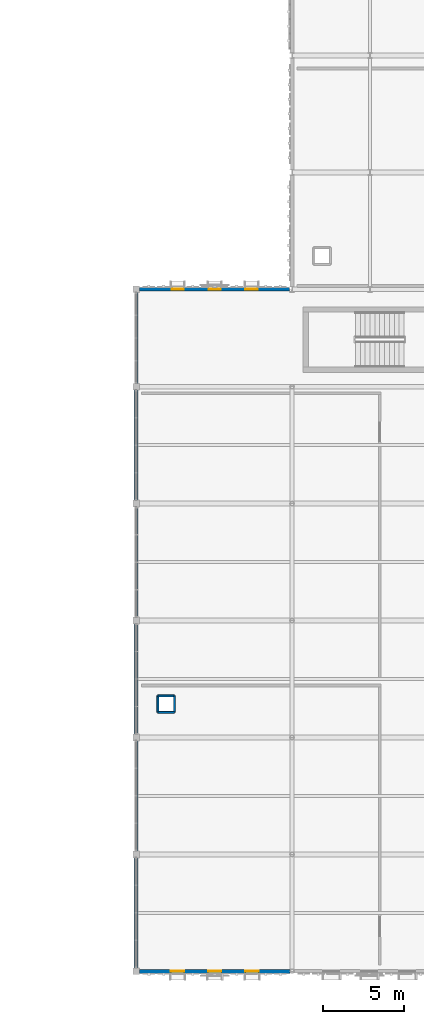
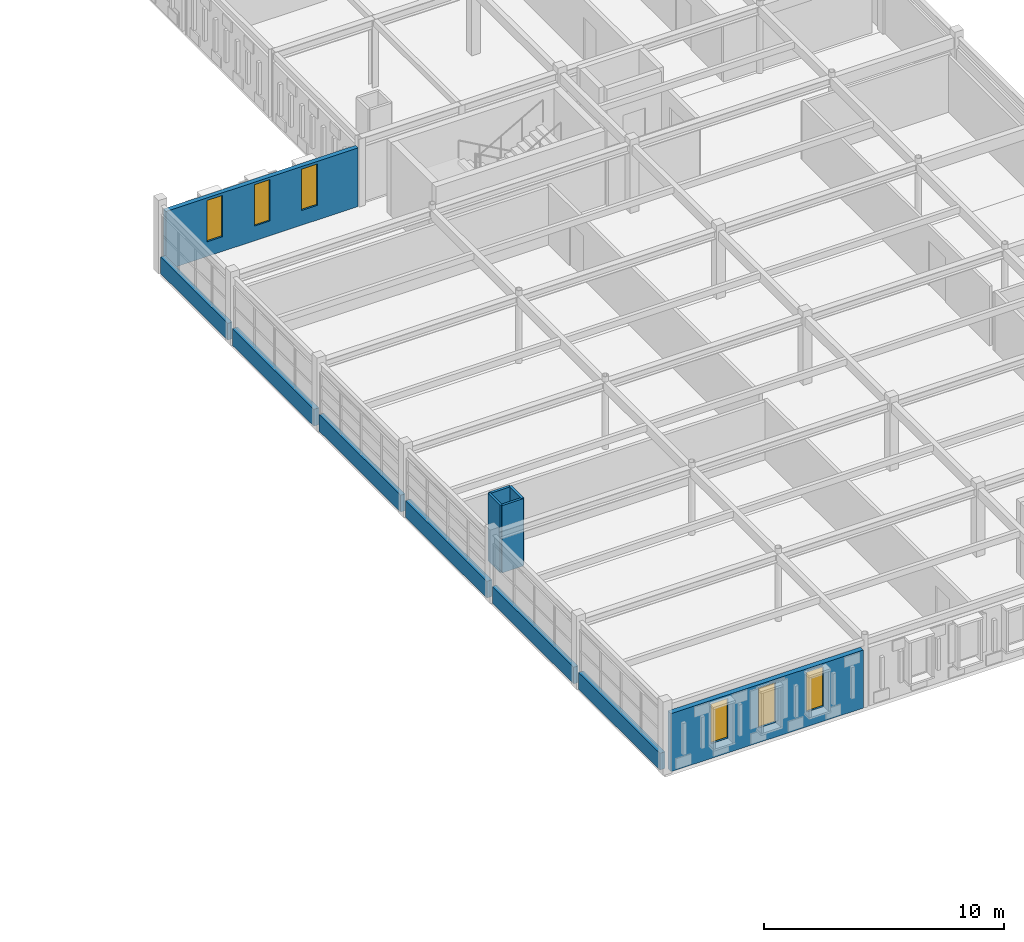
# One storey, part 26 of 46: 12 walls, 6 windows, 6 openings.
"""IFC4 building model written with IfcOpenShell, lengths in metres."""

import ifcopenshell
import ifcopenshell.guid

model = None  # the IFC model being written
_history = None  # IfcOwnerHistory: only IFC2X3 demands one
_inside = {}  # id of a spatial element -> (the spatial element, [elements in it])
_under = {}  # id of a project, library or spatial element -> (it, [spatial elements below it])
_declared = {}  # id of a project -> (the project, [libraries it declares])
_typed = {}  # id of a type object -> (the type object, [elements of that type])
_made_of = {}  # id of a material, layer set ... -> (it, [elements and type objects made of it])


def new_model(schema):
    """Start an empty IFC model of exactly this schema.

    Asked for "IFC4X3", IfcOpenShell would pick the latest addendum, in which some entities
    have other attributes; the version numbers below select the first issue.
    IFC2X3 requires an IfcOwnerHistory on every rooted entity: one is made here for all.
    """
    global model, _history
    if schema == "IFC4X3":
        model = ifcopenshell.file(schema_version=(4, 3, 0, 0))
    else:
        model = ifcopenshell.file(schema=schema)
    _inside.clear()
    _under.clear()
    _declared.clear()
    _typed.clear()
    _made_of.clear()
    _history = None
    if model.schema == "IFC2X3":
        org = make("IfcOrganization", Name="unknown")
        user = make(
            "IfcPersonAndOrganization",
            ThePerson=make("IfcPerson", FamilyName="unknown"),
            TheOrganization=org,
        )
        app = make(
            "IfcApplication",
            ApplicationDeveloper=org,
            Version="unknown",
            ApplicationFullName="unknown",
            ApplicationIdentifier="unknown",
        )
        _history = make(
            "IfcOwnerHistory",
            OwningUser=user,
            OwningApplication=app,
            ChangeAction="ADDED",
            CreationDate=0,
        )
    return model


def make(cls, **values):
    """One entity of the class cls with the attributes given. An attribute that is None is left unset."""
    return model.create_entity(
        cls, **{name: value for name, value in values.items() if value is not None}
    )


def rooted(cls, **values):
    """An entity with a GlobalId (a new one), such as an element, a storey or a relation."""
    return make(cls, GlobalId=ifcopenshell.guid.new(), OwnerHistory=_history, **values)


def si_unit(unit_type, name, prefix=None):
    """IfcSIUnit, for example si_unit("LENGTHUNIT", "METRE", prefix="MILLI")."""
    return make("IfcSIUnit", UnitType=unit_type, Prefix=prefix, Name=name)


def assignment(units):
    """IfcUnitAssignment: the units of a project."""
    return None if units is None else make("IfcUnitAssignment", Units=units)


def point(xyz):
    """IfcCartesianPoint."""
    return None if xyz is None else make("IfcCartesianPoint", Coordinates=xyz)


def direction(xyz):
    """IfcDirection."""
    return None if xyz is None else make("IfcDirection", DirectionRatios=xyz)


def frame(location, z_axis=None, x_axis=None):
    """IfcAxis2Placement3D, a coordinate frame: its origin and axes. An axis left out is left unset."""
    return make(
        "IfcAxis2Placement3D",
        Location=point(location),
        Axis=direction(z_axis),
        RefDirection=direction(x_axis),
    )


def frame_2d(location, x_axis=None):
    """IfcAxis2Placement2D, a coordinate frame in the plane: its origin and x axis."""
    return make(
        "IfcAxis2Placement2D", Location=point(location), RefDirection=direction(x_axis)
    )


def origin():
    """The frame at (0, 0, 0) with its axes left unset."""
    return frame((0.0, 0.0, 0.0))


def place(relative_to, where):
    """IfcLocalPlacement: puts the frame where relative to a parent placement (None: the world)."""
    return make(
        "IfcLocalPlacement", PlacementRelTo=relative_to, RelativePlacement=where
    )


def context(
    kind, dimensions, precision=None, world=None, true_north=None, identifier=None
):
    """IfcGeometricRepresentationContext, for example the 3D "Model" context."""
    return make(
        "IfcGeometricRepresentationContext",
        ContextIdentifier=identifier,
        ContextType=kind,
        CoordinateSpaceDimension=dimensions,
        Precision=precision,
        WorldCoordinateSystem=world,
        TrueNorth=true_north,
    )


def subcontext(parent, identifier, kind, view, scale=None):
    """IfcGeometricRepresentationSubContext, for example "Body" below "Model"."""
    return make(
        "IfcGeometricRepresentationSubContext",
        ContextIdentifier=identifier,
        ContextType=kind,
        ParentContext=parent,
        TargetScale=scale,
        TargetView=view,
    )


def project(units=None, contexts=None):
    """IfcProject with its units and contexts."""
    return rooted(
        "IfcProject",
        Name="project",
        RepresentationContexts=contexts,
        UnitsInContext=assignment(units),
    )


def spatial(cls, under=None, at=None, **own):
    """A site, building, storey or space (cls), placed at a placement, below another one or the project."""
    s = rooted(cls, ObjectPlacement=at, **own)
    if under is not None:
        _under.setdefault(under.id(), (under, []))[1].append(s)
    return s


def profile(cls, at=None, kind="AREA", **sizes):
    """A parametric profile (cls). Its sizes go by their IFC names, for example OverallWidth=200.0."""
    return make(cls, ProfileType=kind, Position=at, **sizes)


def rectangle(**sizes):
    """IfcRectangleProfileDef."""
    return profile("IfcRectangleProfileDef", **sizes)


def extrude(swept, where, along, depth):
    """IfcExtrudedAreaSolid: the profile swept, set in the frame where, extruded along a direction by depth."""
    return make(
        "IfcExtrudedAreaSolid",
        SweptArea=swept,
        Position=where,
        ExtrudedDirection=direction(along),
        Depth=depth,
    )


def shape(context_of_items, identifier, shape_type, items):
    """IfcShapeRepresentation: the items that make up one representation, for example the "Body"."""
    return make(
        "IfcShapeRepresentation",
        ContextOfItems=context_of_items,
        RepresentationIdentifier=identifier,
        RepresentationType=shape_type,
        Items=items,
    )


def material(Name=None, Category=None):
    """IfcMaterial."""
    return make("IfcMaterial", Name=Name, Category=Category)


def layer(
    of_material, thickness, ventilated=None, Name=None, Category=None, Priority=None
):
    """IfcMaterialLayer: one layer of a wall or slab, of a material (None: an air gap)."""
    return make(
        "IfcMaterialLayer",
        Material=of_material,
        LayerThickness=thickness,
        IsVentilated=ventilated,
        Name=Name,
        Category=Category,
        Priority=Priority,
    )


def layer_set(layers, Name=None):
    """IfcMaterialLayerSet."""
    return make("IfcMaterialLayerSet", MaterialLayers=layers, LayerSetName=Name)


def made_of(thing, what):
    """Note that an element or type object is made of a material, layer set ...; save() writes the relation."""
    if what is not None:
        _made_of.setdefault(what.id(), (what, []))[1].append(thing)
    return thing


def type_object(cls, material=None, **own):
    """A type object (cls), such as IfcWallType, which elements share."""
    return made_of(rooted(cls, **own), material)


def element(
    cls,
    number,
    at=None,
    inside=None,
    cuts=None,
    type_object=None,
    material=None,
    context=None,
    identifier="Body",
    shape_type=None,
    held_by="IfcProductDefinitionShape",
    body=None,
    shapes=None,
    **own,
):
    """One element of the class cls, such as IfcWall. Its Tag is "e" and its number.

    at: its placement. inside: the storey or other place that contains it. cuts: it is an
    opening in that element (IfcRelVoidsElement). A single representation is given by context,
    identifier, shape_type and body (its items); several are given by shapes. held_by: the class
    of the entity that holds the representations. save() writes the other relations.
    """
    e = rooted(cls, Tag="e%d" % number, ObjectPlacement=at, **own)
    if body is not None:
        shapes = [shape(context, identifier, shape_type, body)]
    if shapes is not None:
        e.Representation = make(held_by, Representations=shapes)
    if inside is not None:
        _inside.setdefault(inside.id(), (inside, []))[1].append(e)
    if cuts is not None:
        rooted(
            "IfcRelVoidsElement", RelatingBuildingElement=cuts, RelatedOpeningElement=e
        )
    if type_object is not None:
        _typed.setdefault(type_object.id(), (type_object, []))[1].append(e)
    return made_of(e, material)


def fill(opening, filler):
    """IfcRelFillsElement: the door or window that sits in an opening."""
    return rooted(
        "IfcRelFillsElement",
        RelatingOpeningElement=opening,
        RelatedBuildingElement=filler,
    )


def aggregate(whole, parts):
    """IfcRelAggregates: a whole, such as a stair, and the parts it consists of."""
    return rooted("IfcRelAggregates", RelatingObject=whole, RelatedObjects=parts)


def save(model, path):
    """Write the relations noted so far, then the file.

    IfcRelAggregates (storeys below a building ...), IfcRelContainedInSpatialStructure (elements
    in a storey), IfcRelDefinesByType, IfcRelAssociatesMaterial and IfcRelDeclares: one each for
    every whole, place, type object, material and project.
    """
    for whole, parts in _under.values():
        aggregate(whole, parts)
    for where, things in _inside.values():
        rooted(
            "IfcRelContainedInSpatialStructure",
            RelatedElements=things,
            RelatingStructure=where,
        )
    for kind, things in _typed.values():
        rooted("IfcRelDefinesByType", RelatedObjects=things, RelatingType=kind)
    for what, things in _made_of.values():
        rooted("IfcRelAssociatesMaterial", RelatedObjects=things, RelatingMaterial=what)
    for by, libraries in _declared.values():
        rooted("IfcRelDeclares", RelatingContext=by, RelatedDefinitions=libraries)
    model.write(path)


model = new_model("IFC4")

# Units and contexts
model_context = context("Model", 3, precision=1e-05, world=origin(), true_north=direction((0.0, 1.0)))
body_context = subcontext(model_context, "Body", "Model", "MODEL_VIEW")
ifc_project = project(units=[si_unit("LENGTHUNIT", "METRE"), si_unit("AREAUNIT", "SQUARE_METRE"), si_unit("VOLUMEUNIT", "CUBIC_METRE"), si_unit("PLANEANGLEUNIT", "RADIAN"), si_unit("MASSUNIT", "GRAM", prefix="KILO")], contexts=[model_context])

# Site, building, storey
site_placement = place(None, origin())
site = spatial("IfcSite", under=ifc_project, at=site_placement, CompositionType="ELEMENT")
building_placement = place(site_placement, origin())
building = spatial("IfcBuilding", under=site, at=building_placement, Name="Nzembalo Square Collegiate School", CompositionType="ELEMENT")
storey_placement = place(building_placement, frame((0.0, 0.0, 17.340087890625)))
storey = spatial("IfcBuildingStorey", under=building, at=storey_placement, Name="L04", CompositionType="ELEMENT", Elevation=17.340087890625)

# Wall, openings, windows
ifc_material_1 = material(Name="CLT CL24", Category="wood")
ifc_layer_1 = layer(ifc_material_1, 0.2451171875, Name="CLT CL24")
ifc_layer_set_1 = layer_set([ifc_layer_1], Name="CLT CL24")
wall_type_1 = type_object("IfcWallType", Name="W07", PredefinedType="SOLIDWALL", material=ifc_layer_set_1)
wall_1_placement = place(storey_placement, frame((131.011962890625, 8.39990234375, 0.0), z_axis=(0.0, 0.0, 1.0), x_axis=(1.0, 0.0, 0.0)))
wall_1 = element("IfcWall", 1, at=wall_1_placement, inside=storey, type_object=wall_type_1, Name="Exterior wall W07 L04", PredefinedType="SOLIDWALL", context=body_context, shape_type="SweptSolid", body=[
    extrude(rectangle(XDim=9.24951171875, YDim=0.2451171875, at=frame_2d((4.624755859375, 0.0))), origin(), (0.0, 0.0, 1.0), 2.948974609375),
])
opening_1_placement = place(wall_1_placement, frame((1.91748046875, 0.0, 0.75)))
opening_1 = element("IfcOpeningElement", 2, at=opening_1_placement, cuts=wall_1, Name="Opening WN-L04-925", PredefinedType="OPENING", context=body_context, shape_type="SweptSolid", body=[
    extrude(rectangle(XDim=0.820068359375, YDim=2.02001953125, at=frame_2d((0.41015625, 1.010009765625))), frame((0.0, 0.132568359375, 0.0), z_axis=(0.0, -1.0, 0.0), x_axis=(1.0, 0.0, 0.0)), (0.0, 0.0, 1.0), 0.26513671875),
])
opening_2_placement = place(wall_1_placement, frame((4.214599609375, 0.0, 0.75)))
opening_2 = element("IfcOpeningElement", 3, at=opening_2_placement, cuts=wall_1, Name="Opening WN-L04-926", PredefinedType="OPENING", context=body_context, shape_type="SweptSolid", body=[
    extrude(rectangle(XDim=0.820068359375, YDim=2.02001953125, at=frame_2d((0.41015625, 1.010009765625))), frame((0.0, 0.132568359375, 0.0), z_axis=(0.0, -1.0, 0.0), x_axis=(1.0, 0.0, 0.0)), (0.0, 0.0, 1.0), 0.26513671875),
])
opening_3_placement = place(wall_1_placement, frame((6.51220703125, 0.0, 0.75)))
opening_3 = element("IfcOpeningElement", 4, at=opening_3_placement, cuts=wall_1, Name="Opening WN-L04-927", PredefinedType="OPENING", context=body_context, shape_type="SweptSolid", body=[
    extrude(rectangle(XDim=0.820068359375, YDim=2.02001953125, at=frame_2d((0.41015625, 1.010009765625))), frame((0.0, 0.132568359375, 0.0), z_axis=(0.0, -1.0, 0.0), x_axis=(1.0, 0.0, 0.0)), (0.0, 0.0, 1.0), 0.26513671875),
])
ifc_material_2 = material(Name="Powder-coated aluminium and low-E double glazing", Category="aluminium")
window_type_1 = type_object("IfcWindowType", Name="WN38", PartitioningType="SINGLE_PANEL", PredefinedType="WINDOW", material=ifc_material_2)
window_1_placement = place(opening_1_placement, origin())
window_1 = element("IfcWindow", 5, at=window_1_placement, inside=storey, type_object=window_type_1, Name="Lancet window WN-L04-925", OverallHeight=2.02001953125, OverallWidth=0.820068359375, PartitioningType="SINGLE_PANEL", PredefinedType="WINDOW", context=body_context, shape_type="SweptSolid", body=[
    extrude(rectangle(XDim=0.820068359375, YDim=2.02001953125, at=frame_2d((0.41015625, 1.010009765625))), frame((0.0, 0.030029296875, 0.0), z_axis=(0.0, -1.0, 0.0), x_axis=(1.0, 0.0, 0.0)), (0.0, 0.0, 1.0), 0.06005859375),
])
fill(opening_1, window_1)
window_2_placement = place(opening_2_placement, origin())
window_2 = element("IfcWindow", 6, at=window_2_placement, inside=storey, type_object=window_type_1, Name="Lancet window WN-L04-926", OverallHeight=2.02001953125, OverallWidth=0.820068359375, PartitioningType="SINGLE_PANEL", PredefinedType="WINDOW", context=body_context, shape_type="SweptSolid", body=[
    extrude(rectangle(XDim=0.820068359375, YDim=2.02001953125, at=frame_2d((0.41015625, 1.010009765625))), frame((0.0, 0.030029296875, 0.0), z_axis=(0.0, -1.0, 0.0), x_axis=(1.0, 0.0, 0.0)), (0.0, 0.0, 1.0), 0.06005859375),
])
fill(opening_2, window_2)
window_3_placement = place(opening_3_placement, origin())
window_3 = element("IfcWindow", 7, at=window_3_placement, inside=storey, type_object=window_type_1, Name="Lancet window WN-L04-927", OverallHeight=2.02001953125, OverallWidth=0.820068359375, PartitioningType="SINGLE_PANEL", PredefinedType="WINDOW", context=body_context, shape_type="SweptSolid", body=[
    extrude(rectangle(XDim=0.820068359375, YDim=2.02001953125, at=frame_2d((0.41015625, 1.010009765625))), frame((0.0, 0.030029296875, 0.0), z_axis=(0.0, -1.0, 0.0), x_axis=(1.0, 0.0, 0.0)), (0.0, 0.0, 1.0), 0.06005859375),
])
fill(opening_3, window_3)

# Walls
wall_2_placement = place(storey_placement, frame((130.800048828125, 8.612060546875, 0.0), z_axis=(0.0, 0.0, 1.0), x_axis=(0.0, 1.0, 0.0)))
element("IfcWall", 8, at=wall_2_placement, inside=storey, type_object=wall_type_1, Name="Spandrel wall W07 L04", PredefinedType="SOLIDWALL", context=body_context, shape_type="SweptSolid", body=[
    extrude(rectangle(XDim=6.77587890625, YDim=0.2451171875, at=frame_2d((3.387939453125, 0.0))), origin(), (0.0, 0.0, 1.0), 0.849853515625),
])
wall_3_placement = place(storey_placement, frame((130.800048828125, 23.011962890625, 0.0), z_axis=(0.0, 0.0, 1.0), x_axis=(0.0, 1.0, 0.0)))
element("IfcWall", 9, at=wall_3_placement, inside=storey, type_object=wall_type_1, Name="Spandrel wall W07 L04", PredefinedType="SOLIDWALL", context=body_context, shape_type="SweptSolid", body=[
    extrude(rectangle(XDim=6.776123046875, YDim=0.2451171875, at=frame_2d((3.38818359375, 0.0))), origin(), (0.0, 0.0, 1.0), 0.849853515625),
])
wall_4_placement = place(storey_placement, frame((130.800048828125, 37.412109375, 0.0), z_axis=(0.0, 0.0, 1.0), x_axis=(0.0, 1.0, 0.0)))
element("IfcWall", 10, at=wall_4_placement, inside=storey, type_object=wall_type_1, Name="Spandrel wall W07 L04", PredefinedType="SOLIDWALL", context=body_context, shape_type="SweptSolid", body=[
    extrude(rectangle(XDim=6.77587890625, YDim=0.2451171875, at=frame_2d((3.387939453125, 0.0))), origin(), (0.0, 0.0, 1.0), 0.849853515625),
])

# Wall, openings, windows
ifc_material_3 = material(Name="CLT CL24", Category="wood")
ifc_layer_2 = layer(ifc_material_3, 0.215087890625, Name="CLT CL24")
ifc_layer_set_2 = layer_set([ifc_layer_2], Name="CLT CL24")
wall_type_2 = type_object("IfcWallType", Name="W08", PredefinedType="SOLIDWALL", material=ifc_layer_set_2)
wall_5_placement = place(storey_placement, frame((131.011962890625, 50.39990234375, 0.0), z_axis=(0.0, 0.0, 1.0), x_axis=(1.0, 0.0, 0.0)))
wall_5 = element("IfcWall", 11, at=wall_5_placement, inside=storey, type_object=wall_type_2, Name="Exterior wall W08 L04", PredefinedType="SOLIDWALL", context=body_context, shape_type="SweptSolid", body=[
    extrude(rectangle(XDim=9.236083984375, YDim=0.215087890625, at=frame_2d((4.6181640625, 0.0))), origin(), (0.0, 0.0, 1.0), 2.97900390625),
])
opening_4_placement = place(wall_5_placement, frame((1.966552734375, 0.0, 0.75)))
opening_4 = element("IfcOpeningElement", 12, at=opening_4_placement, cuts=wall_5, Name="Opening WN-L04-815", PredefinedType="OPENING", context=body_context, shape_type="SweptSolid", body=[
    extrude(rectangle(XDim=0.75, YDim=2.10009765625, at=frame_2d((0.375, 1.050048828125))), frame((0.0, 0.11767578125, 0.0), z_axis=(0.0, -1.0, 0.0), x_axis=(1.0, 0.0, 0.0)), (0.0, 0.0, 1.0), 0.235107421875),
])
opening_5_placement = place(wall_5_placement, frame((4.242919921875, 0.0, 0.75)))
opening_5 = element("IfcOpeningElement", 13, at=opening_5_placement, cuts=wall_5, Name="Opening WN-L04-816", PredefinedType="OPENING", context=body_context, shape_type="SweptSolid", body=[
    extrude(rectangle(XDim=0.75, YDim=2.10009765625, at=frame_2d((0.375, 1.050048828125))), frame((0.0, 0.11767578125, 0.0), z_axis=(0.0, -1.0, 0.0), x_axis=(1.0, 0.0, 0.0)), (0.0, 0.0, 1.0), 0.235107421875),
])
opening_6_placement = place(wall_5_placement, frame((6.51953125, 0.0, 0.75)))
opening_6 = element("IfcOpeningElement", 14, at=opening_6_placement, cuts=wall_5, Name="Opening WN-L04-817", PredefinedType="OPENING", context=body_context, shape_type="SweptSolid", body=[
    extrude(rectangle(XDim=0.75, YDim=2.10009765625, at=frame_2d((0.375, 1.050048828125))), frame((0.0, 0.11767578125, 0.0), z_axis=(0.0, -1.0, 0.0), x_axis=(1.0, 0.0, 0.0)), (0.0, 0.0, 1.0), 0.235107421875),
])
ifc_material_4 = material(Name="Powder-coated aluminium and low-E double glazing", Category="aluminium")
window_type_2 = type_object("IfcWindowType", Name="WN02", PartitioningType="SINGLE_PANEL", PredefinedType="WINDOW", material=ifc_material_4)
window_4_placement = place(opening_4_placement, origin())
window_4 = element("IfcWindow", 15, at=window_4_placement, inside=storey, type_object=window_type_2, Name="Lancet window WN-L04-815", OverallHeight=2.10009765625, OverallWidth=0.75, PartitioningType="SINGLE_PANEL", PredefinedType="WINDOW", context=body_context, shape_type="SweptSolid", body=[
    extrude(rectangle(XDim=0.75, YDim=2.10009765625, at=frame_2d((0.375, 1.050048828125))), frame((0.0, 0.030029296875, 0.0), z_axis=(0.0, -1.0, 0.0), x_axis=(1.0, 0.0, 0.0)), (0.0, 0.0, 1.0), 0.06005859375),
])
fill(opening_4, window_4)
window_5_placement = place(opening_5_placement, origin())
window_5 = element("IfcWindow", 16, at=window_5_placement, inside=storey, type_object=window_type_2, Name="Lancet window WN-L04-816", OverallHeight=2.10009765625, OverallWidth=0.75, PartitioningType="SINGLE_PANEL", PredefinedType="WINDOW", context=body_context, shape_type="SweptSolid", body=[
    extrude(rectangle(XDim=0.75, YDim=2.10009765625, at=frame_2d((0.375, 1.050048828125))), frame((0.0, 0.030029296875, 0.0), z_axis=(0.0, -1.0, 0.0), x_axis=(1.0, 0.0, 0.0)), (0.0, 0.0, 1.0), 0.06005859375),
])
fill(opening_5, window_5)
window_6_placement = place(opening_6_placement, origin())
window_6 = element("IfcWindow", 17, at=window_6_placement, inside=storey, type_object=window_type_2, Name="Lancet window WN-L04-817", OverallHeight=2.10009765625, OverallWidth=0.75, PartitioningType="SINGLE_PANEL", PredefinedType="WINDOW", context=body_context, shape_type="SweptSolid", body=[
    extrude(rectangle(XDim=0.75, YDim=2.10009765625, at=frame_2d((0.375, 1.050048828125))), frame((0.0, 0.030029296875, 0.0), z_axis=(0.0, -1.0, 0.0), x_axis=(1.0, 0.0, 0.0)), (0.0, 0.0, 1.0), 0.06005859375),
])
fill(opening_6, window_6)

# Walls
wall_6_placement = place(storey_placement, frame((130.800048828125, 15.81201171875, 0.0), z_axis=(0.0, 0.0, 1.0), x_axis=(0.0, 1.0, 0.0)))
element("IfcWall", 18, at=wall_6_placement, inside=storey, type_object=wall_type_2, Name="Spandrel wall W08 L04", PredefinedType="SOLIDWALL", context=body_context, shape_type="SweptSolid", body=[
    extrude(rectangle(XDim=6.77587890625, YDim=0.215087890625, at=frame_2d((3.387939453125, 0.0))), origin(), (0.0, 0.0, 1.0), 0.849853515625),
])
wall_7_placement = place(storey_placement, frame((130.800048828125, 30.2119140625, 0.0), z_axis=(0.0, 0.0, 1.0), x_axis=(0.0, 1.0, 0.0)))
element("IfcWall", 19, at=wall_7_placement, inside=storey, type_object=wall_type_2, Name="Spandrel wall W08 L04", PredefinedType="SOLIDWALL", context=body_context, shape_type="SweptSolid", body=[
    extrude(rectangle(XDim=6.776123046875, YDim=0.215087890625, at=frame_2d((3.38818359375, 0.0))), origin(), (0.0, 0.0, 1.0), 0.849853515625),
])
wall_8_placement = place(storey_placement, frame((130.800048828125, 44.612060546875, 0.0), z_axis=(0.0, 0.0, 1.0), x_axis=(0.0, 1.0, 0.0)))
element("IfcWall", 20, at=wall_8_placement, inside=storey, type_object=wall_type_2, Name="Spandrel wall W08 L04", PredefinedType="SOLIDWALL", context=body_context, shape_type="SweptSolid", body=[
    extrude(rectangle(XDim=5.575927734375, YDim=0.215087890625, at=frame_2d((2.7880859375, 0.0))), origin(), (0.0, 0.0, 1.0), 0.849853515625),
])
ifc_material_5 = material(Name="Fire-rated shaftwall stud")
ifc_layer_3 = layer(ifc_material_5, 0.1201171875, Name="Fire-rated shaftwall stud")
ifc_layer_set_3 = layer_set([ifc_layer_3], Name="Fire-rated shaftwall stud")
wall_type_3 = type_object("IfcWallType", Name="W23", PredefinedType="PARTITIONING", material=ifc_layer_set_3)
for number, where, z_axis, x_axis, name in (
    (21, (132.139892578125, 24.340087890625, 0.0), (0.0, 0.0, 1.0), (1.0, 0.0, 0.0), "Service riser shaftwall W23-024-1"),
    (22, (133.159912109375, 24.340087890625, 0.0), (0.0, 0.0, 1.0), (0.0, 1.0, 0.0), "Service riser shaftwall W23-024-2"),
    (23, (133.159912109375, 25.360107421875, 0.0), (0.0, 0.0, 1.0), (-1.0, 0.0, 0.0), "Service riser shaftwall W23-024-3"),
    (24, (132.139892578125, 25.360107421875, 0.0), (0.0, 0.0, 1.0), (0.0, -1.0, 0.0), "Service riser shaftwall W23-024-4"),
):
    element("IfcWall", number, at=place(storey_placement, frame(where, z_axis=z_axis, x_axis=x_axis)), inside=storey, type_object=wall_type_3, Name=name, PredefinedType="PARTITIONING", context=body_context, shape_type="SweptSolid", body=[
        extrude(rectangle(XDim=1.02001953125, YDim=0.1201171875, at=frame_2d((0.510009765625, 0.0))), origin(), (0.0, 0.0, 1.0), 3.413818359375),
    ])

save(model, "model.ifc")
